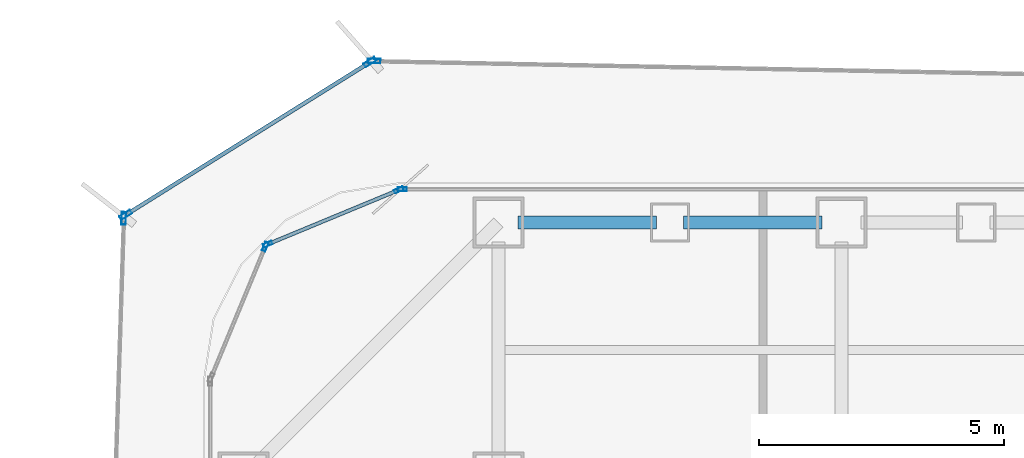
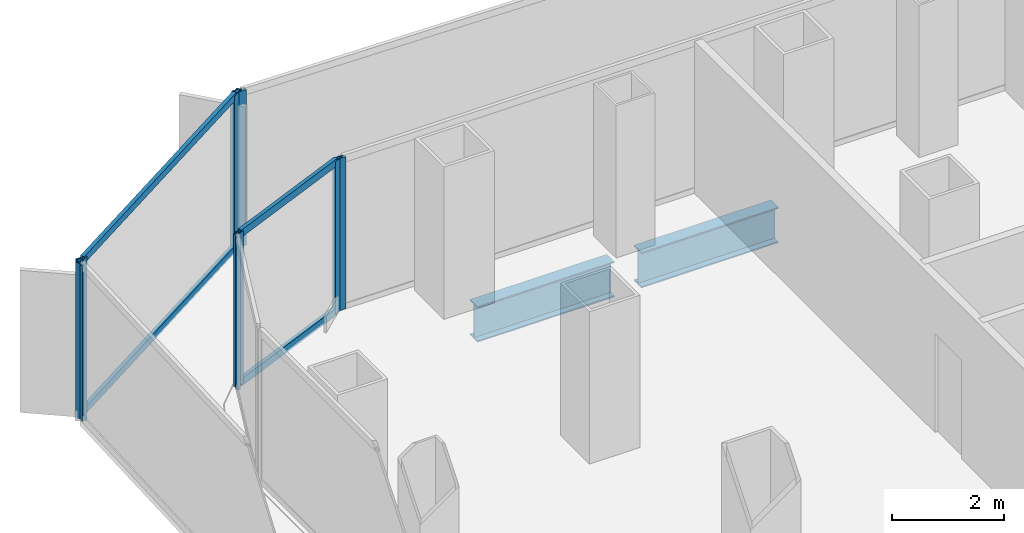
# One storey, part 11 of 21: 12 members, 2 beams, 6 elements without a shape of their own.
"""IFC4 building model written with IfcOpenShell, lengths in metres."""

from ifc_helpers import new_model, si_unit, direction, frame, origin, origin_2d, place, context, subcontext, project, spatial, hollow_rectangle, i_section, extrude, source, transform, mapped, material, layer, layer_set, material_profile, profile_set, type_object, element, aggregate, save


model = new_model("IFC4")

# Units and contexts
model_context = context("Model", 3, precision=1e-05, world=origin(), true_north=direction((0.0, 1.0)))
body_context = subcontext(model_context, "Body", "Model", "MODEL_VIEW")
ifc_project = project(units=[si_unit("LENGTHUNIT", "METRE"), si_unit("AREAUNIT", "SQUARE_METRE"), si_unit("VOLUMEUNIT", "CUBIC_METRE"), si_unit("PLANEANGLEUNIT", "RADIAN"), si_unit("MASSUNIT", "GRAM", prefix="KILO")], contexts=[model_context])

# Site, building, storey
site_placement = place(None, origin())
site = spatial("IfcSite", under=ifc_project, at=site_placement, CompositionType="ELEMENT")
building_placement = place(site_placement, origin())
building = spatial("IfcBuilding", under=site, at=building_placement, Name="Kolveth Station Tower", CompositionType="ELEMENT")
storey_placement = place(building_placement, frame((0.0, 0.0, 33.300048828125)))
storey = spatial("IfcBuildingStorey", under=building, at=storey_placement, Name="L08", CompositionType="ELEMENT", Elevation=33.300048828125)

# Beams
ifc_material_1 = material(Name="Steel S355", Category="steel")
ifc_material_profile_1 = material_profile(ifc_material_1, i_section(OverallWidth=0.26904296875, OverallDepth=0.77490234375, WebThickness=0.01708984375, FlangeThickness=0.0283203125, at=origin_2d()), Name="W760x220")
ifc_profile_set_1 = profile_set([ifc_material_profile_1], Name="Steel S355")
beam_type = type_object("IfcBeamType", Name="Beam_SP1", PredefinedType="SPANDREL", material=ifc_profile_set_1)
shared_shape_1 = source(origin(), body_context, "Body", "SweptSolid", [
    extrude(i_section(OverallWidth=0.26904296875, OverallDepth=0.77490234375, WebThickness=0.01708984375, FlangeThickness=0.0283203125, at=origin_2d()), origin(), (0.0, 0.0, 1.0), 2.820068359375),
])
for number, where, z_axis, x_axis, name in (
    (1, (6.39990234375, 39.699951171875, -0.66748046875), (1.0, 0.0, 0.0), (0.0, 1.0, 0.0), "L08 Perimeter Spandrel BM-L08-PN-1"),
    (2, (9.780029296875, 39.699951171875, -0.66748046875), (1.0, 0.0, 0.0), (0.0, 1.0, 0.0), "L08 Perimeter Spandrel BM-L08-PN-2"),
):
    element("IfcBeam", number, at=place(storey_placement, frame(where, z_axis=z_axis, x_axis=x_axis)), inside=storey, type_object=beam_type, Name=name, PredefinedType="SPANDREL", context=body_context, shape_type="MappedRepresentation", body=[
        mapped(shared_shape_1, transform((0.0, 0.0, 0.0), x_axis=(1.0, 0.0, 0.0), y_axis=(0.0, 1.0, 0.0), z_axis=(0.0, 0.0, 1.0), scale=1.0)),
    ])

# Curtain wall, member
ifc_material_2 = material(Name="Aluminium 6063-T6 and low-E dark glass", Category="aluminium")
ifc_layer_1 = layer(ifc_material_2, 0.179931640625)
ifc_layer_set_1 = layer_set([ifc_layer_1], Name="Aluminium 6063-T6 and low-E dark glass")
curtain_wall_type_1 = type_object("IfcCurtainWallType", Name="CurtainWall_CW-Z1", PredefinedType="NOTDEFINED", material=ifc_layer_set_1)
curtain_wall_1_placement = place(storey_placement, origin())
curtain_wall_1 = element("IfcCurtainWall", 3, at=curtain_wall_1_placement, inside=storey, type_object=curtain_wall_type_1, Name="L08 Inner Thermal Curtain Wall 6", PredefinedType="NOTDEFINED")
ifc_material_3 = material(Name="Black anodized aluminium 6063-T6", Category="aluminium")
ifc_material_profile_2 = material_profile(ifc_material_3, hollow_rectangle(XDim=0.074951171875, YDim=0.18994140625, WallThickness=0.0048828125, at=origin_2d()), Name="ALU-75x190x5")
ifc_profile_set_2 = profile_set([ifc_material_profile_2], Name="Black anodized aluminium 6063-T6")
member_type_1 = type_object("IfcMemberType", Name="Mullion_ML1", PredefinedType="MULLION", material=ifc_profile_set_2)
shared_shape_2 = source(origin(), body_context, "Body", "SweptSolid", [
    extrude(hollow_rectangle(XDim=0.074951171875, YDim=0.18994140625, WallThickness=0.0048828125, at=origin_2d()), origin(), (0.0, 0.0, 1.0), 3.320068359375),
])
member_1_placement = place(storey_placement, frame((4.03759765625, 40.3798828125, 0.0), z_axis=(0.0, 0.0, 1.0), x_axis=(0.0, -1.0, 0.0)))
member_1 = element("IfcMember", 4, at=member_1_placement, type_object=member_type_1, Name="CW-Z1 mullion 3", PredefinedType="MULLION", context=body_context, shape_type="MappedRepresentation", body=[
    mapped(shared_shape_2, transform((0.0, 0.0, 0.0), x_axis=(1.0, 0.0, 0.0), y_axis=(0.0, 1.0, 0.0), z_axis=(0.0, 0.0, 1.0), scale=1.0)),
])
aggregate(curtain_wall_1, [member_1])

# Curtain wall, members
curtain_wall_2_placement = place(storey_placement, origin())
curtain_wall_2 = element("IfcCurtainWall", 5, at=curtain_wall_2_placement, inside=storey, type_object=curtain_wall_type_1, Name="L08 Inner Thermal Curtain Wall 7", PredefinedType="NOTDEFINED")
member_2_placement = place(storey_placement, frame((3.96533203125, 40.36572265625, 0.0), z_axis=(0.0, 0.0, 1.0), x_axis=(0.382672990201, -0.923883857728, 0.0)))
member_2 = element("IfcMember", 6, at=member_2_placement, type_object=member_type_1, Name="CW-Z1 mullion 1", PredefinedType="MULLION", context=body_context, shape_type="MappedRepresentation", body=[
    mapped(shared_shape_2, transform((0.0, 0.0, 0.0), x_axis=(1.0, 0.0, 0.0), y_axis=(0.0, 1.0, 0.0), z_axis=(0.0, 0.0, 1.0), scale=1.0)),
])
member_3_placement = place(storey_placement, frame((1.291015625, 39.258056640625, 0.0), z_axis=(0.0, 0.0, 1.0), x_axis=(0.382672990201, -0.923883857728, 0.0)))
member_3 = element("IfcMember", 7, at=member_3_placement, type_object=member_type_1, Name="CW-Z1 mullion 2", PredefinedType="MULLION", context=body_context, shape_type="MappedRepresentation", body=[
    mapped(shared_shape_2, transform((0.0, 0.0, 0.0), x_axis=(1.0, 0.0, 0.0), y_axis=(0.0, 1.0, 0.0), z_axis=(0.0, 0.0, 1.0), scale=1.0)),
])

# Curtain wall, member
curtain_wall_3_placement = place(storey_placement, origin())
curtain_wall_3 = element("IfcCurtainWall", 8, at=curtain_wall_3_placement, inside=storey, type_object=curtain_wall_type_1, Name="L08 Inner Thermal Curtain Wall 8", PredefinedType="NOTDEFINED")
member_4_placement = place(storey_placement, frame((1.241943359375, 39.208984375, 0.0), z_axis=(0.0, 0.0, 1.0), x_axis=(0.923883857728, -0.382672990201, 0.0)))
member_4 = element("IfcMember", 9, at=member_4_placement, type_object=member_type_1, Name="CW-Z1 mullion 1", PredefinedType="MULLION", context=body_context, shape_type="MappedRepresentation", body=[
    mapped(shared_shape_2, transform((0.0, 0.0, 0.0), x_axis=(1.0, 0.0, 0.0), y_axis=(0.0, 1.0, 0.0), z_axis=(0.0, 0.0, 1.0), scale=1.0)),
])
aggregate(curtain_wall_3, [member_4])

# Member
ifc_material_profile_3 = material_profile(ifc_material_3, hollow_rectangle(XDim=0.074951171875, YDim=0.159912109375, WallThickness=0.0048828125, at=origin_2d()), Name="ALU-75x160x5")
ifc_profile_set_3 = profile_set([ifc_material_profile_3], Name="Black anodized aluminium 6063-T6")
member_type_2 = type_object("IfcMemberType", Name="Transom_TR1", PredefinedType="USERDEFINED", material=ifc_profile_set_3)
shared_shape_3 = source(origin(), body_context, "Body", "SweptSolid", [
    extrude(hollow_rectangle(XDim=0.074951171875, YDim=0.159912109375, WallThickness=0.0048828125, at=origin_2d()), origin(), (0.0, 0.0, 1.0), 2.819580078125),
])
member_5_placement = place(storey_placement, frame((3.9306640625, 40.351318359375, 0.037353515625), z_axis=(-0.923869084389, -0.382708655389, 0.0), x_axis=(0.382708655389, -0.923869084389, 0.0)))
member_5 = element("IfcMember", 10, at=member_5_placement, type_object=member_type_2, Name="CW-Z1 transom 1.1", ObjectType="TRANSOM", PredefinedType="USERDEFINED", context=body_context, shape_type="MappedRepresentation", body=[
    mapped(shared_shape_3, transform((0.0, 0.0, 0.0), x_axis=(1.0, 0.0, 0.0), y_axis=(0.0, 1.0, 0.0), z_axis=(0.0, 0.0, 1.0), scale=1.0)),
])

member_6_placement = place(storey_placement, frame((3.9306640625, 40.351318359375, 3.282470703125), z_axis=(-0.923869084389, -0.382708655389, 0.0), x_axis=(0.382708655389, -0.923869084389, 0.0)))
member_6 = element("IfcMember", 11, at=member_6_placement, type_object=member_type_2, Name="CW-Z1 transom 1.2", ObjectType="TRANSOM", PredefinedType="USERDEFINED", context=body_context, shape_type="MappedRepresentation", body=[
    mapped(shared_shape_3, transform((0.0, 0.0, 0.0), x_axis=(1.0, 0.0, 0.0), y_axis=(0.0, 1.0, 0.0), z_axis=(0.0, 0.0, 1.0), scale=1.0)),
])

aggregate(curtain_wall_2, [member_2, member_3, member_5, member_6])

# Curtain wall, member
ifc_material_4 = material(Name="Black anodized aluminium 6063-T6 and dark solar glass", Category="aluminium")
ifc_layer_2 = layer(ifc_material_4, 0.159912109375)
ifc_layer_set_2 = layer_set([ifc_layer_2], Name="Black anodized aluminium 6063-T6 and dark solar glass")
curtain_wall_type_2 = type_object("IfcCurtainWallType", Name="OUTER SKIN CW-OS", PredefinedType="NOTDEFINED", material=ifc_layer_set_2)
curtain_wall_4_placement = place(storey_placement, origin())
curtain_wall_4 = element("IfcCurtainWall", 12, at=curtain_wall_4_placement, inside=storey, type_object=curtain_wall_type_2, Name="L08 Outer Ventilated Skin Curtain Wall 4", PredefinedType="NOTDEFINED")
ifc_material_profile_4 = material_profile(ifc_material_3, hollow_rectangle(XDim=0.090087890625, YDim=0.260009765625, WallThickness=0.0048828125, at=origin_2d()), Name="ALU-90x260x5")
ifc_profile_set_4 = profile_set([ifc_material_profile_4], Name="Black anodized aluminium 6063-T6")
member_type_3 = type_object("IfcMemberType", Name="FIN MULLION ML-OS", PredefinedType="MULLION", material=ifc_profile_set_4)
shared_shape_4 = source(origin(), body_context, "Body", "SweptSolid", [
    extrude(hollow_rectangle(XDim=0.090087890625, YDim=0.260009765625, WallThickness=0.0048828125, at=origin_2d()), origin(), (0.0, 0.0, 1.0), 3.389892578125),
])
member_7_placement = place(storey_placement, frame((3.462646484375, 42.997802734375, 0.0), z_axis=(0.0, 0.0, 1.0), x_axis=(-0.019601522443, -0.999807871702, 0.0)))
member_7 = element("IfcMember", 13, at=member_7_placement, type_object=member_type_3, Name="CW-OS mullion 2", PredefinedType="MULLION", context=body_context, shape_type="MappedRepresentation", body=[
    mapped(shared_shape_4, transform((0.0, 0.0, 0.0), x_axis=(1.0, 0.0, 0.0), y_axis=(0.0, 1.0, 0.0), z_axis=(0.0, 0.0, 1.0), scale=1.0)),
])
aggregate(curtain_wall_4, [member_7])

# Curtain wall, members
curtain_wall_5_placement = place(storey_placement, origin())
curtain_wall_5 = element("IfcCurtainWall", 14, at=curtain_wall_5_placement, inside=storey, type_object=curtain_wall_type_2, Name="L08 Outer Ventilated Skin Curtain Wall 5", PredefinedType="NOTDEFINED")
member_8_placement = place(storey_placement, frame((3.379638671875, 42.974853515625, 0.0), z_axis=(0.0, 0.0, 1.0), x_axis=(0.530194553684, -0.847876014075, 0.0)))
member_8 = element("IfcMember", 15, at=member_8_placement, type_object=member_type_3, Name="CW-OS mullion 1", PredefinedType="MULLION", context=body_context, shape_type="MappedRepresentation", body=[
    mapped(shared_shape_4, transform((0.0, 0.0, 0.0), x_axis=(1.0, 0.0, 0.0), y_axis=(0.0, 1.0, 0.0), z_axis=(0.0, 0.0, 1.0), scale=1.0)),
])
member_9_placement = place(storey_placement, frame((-1.608642578125, 39.85546875, 0.0), z_axis=(0.0, 0.0, 1.0), x_axis=(0.530194553684, -0.847876014075, 0.0)))
member_9 = element("IfcMember", 16, at=member_9_placement, type_object=member_type_3, Name="CW-OS mullion 2", PredefinedType="MULLION", context=body_context, shape_type="MappedRepresentation", body=[
    mapped(shared_shape_4, transform((0.0, 0.0, 0.0), x_axis=(1.0, 0.0, 0.0), y_axis=(0.0, 1.0, 0.0), z_axis=(0.0, 0.0, 1.0), scale=1.0)),
])

# Curtain wall, member
curtain_wall_6_placement = place(storey_placement, origin())
curtain_wall_6 = element("IfcCurtainWall", 17, at=curtain_wall_6_placement, inside=storey, type_object=curtain_wall_type_2, Name="L08 Outer Ventilated Skin Curtain Wall 6", PredefinedType="NOTDEFINED")
member_10_placement = place(storey_placement, frame((-1.6484375, 39.78662109375, 0.0), z_axis=(0.0, 0.0, 1.0), x_axis=(0.999468991483, -0.032584276324, 0.0)))
member_10 = element("IfcMember", 18, at=member_10_placement, type_object=member_type_3, Name="CW-OS mullion 1", PredefinedType="MULLION", context=body_context, shape_type="MappedRepresentation", body=[
    mapped(shared_shape_4, transform((0.0, 0.0, 0.0), x_axis=(1.0, 0.0, 0.0), y_axis=(0.0, 1.0, 0.0), z_axis=(0.0, 0.0, 1.0), scale=1.0)),
])
aggregate(curtain_wall_6, [member_10])

# Member
ifc_material_profile_5 = material_profile(ifc_material_3, hollow_rectangle(XDim=0.080078125, YDim=0.14990234375, WallThickness=0.0048828125, at=origin_2d()), Name="ALU-80x150x5")
ifc_profile_set_5 = profile_set([ifc_material_profile_5], Name="Black anodized aluminium 6063-T6")
member_type_4 = type_object("IfcMemberType", Name="Transom_TR-OS", PredefinedType="USERDEFINED", material=ifc_profile_set_5)
shared_shape_5 = source(origin(), body_context, "Body", "SweptSolid", [
    extrude(hollow_rectangle(XDim=0.080078125, YDim=0.14990234375, WallThickness=0.0048828125, at=origin_2d()), origin(), (0.0, 0.0, 1.0), 5.793212890625),
])
member_11_placement = place(storey_placement, frame((3.34130859375, 42.950927734375, 0.0400390625), z_axis=(-0.8478727986, -0.53019969577, 0.0), x_axis=(0.53019969577, -0.8478727986, 0.0)))
member_11 = element("IfcMember", 19, at=member_11_placement, type_object=member_type_4, Name="CW-OS transom 1.1", ObjectType="TRANSOM", PredefinedType="USERDEFINED", context=body_context, shape_type="MappedRepresentation", body=[
    mapped(shared_shape_5, transform((0.0, 0.0, 0.0), x_axis=(1.0, 0.0, 0.0), y_axis=(0.0, 1.0, 0.0), z_axis=(0.0, 0.0, 1.0), scale=1.0)),
])

member_12_placement = place(storey_placement, frame((3.34130859375, 42.950927734375, 3.349853515625), z_axis=(-0.8478727986, -0.53019969577, 0.0), x_axis=(0.53019969577, -0.8478727986, 0.0)))
member_12 = element("IfcMember", 20, at=member_12_placement, type_object=member_type_4, Name="CW-OS transom 1.2", ObjectType="TRANSOM", PredefinedType="USERDEFINED", context=body_context, shape_type="MappedRepresentation", body=[
    mapped(shared_shape_5, transform((0.0, 0.0, 0.0), x_axis=(1.0, 0.0, 0.0), y_axis=(0.0, 1.0, 0.0), z_axis=(0.0, 0.0, 1.0), scale=1.0)),
])

aggregate(curtain_wall_5, [member_8, member_9, member_11, member_12])

save(model, "model.ifc")
